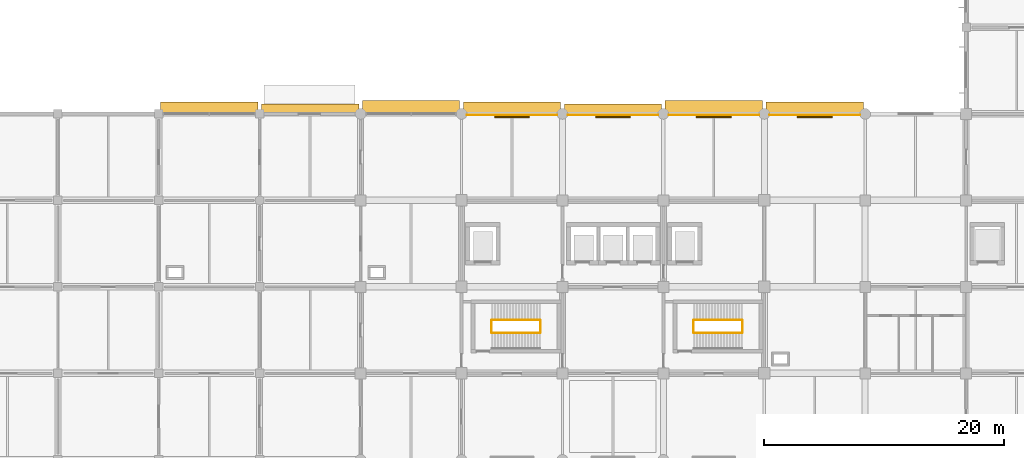
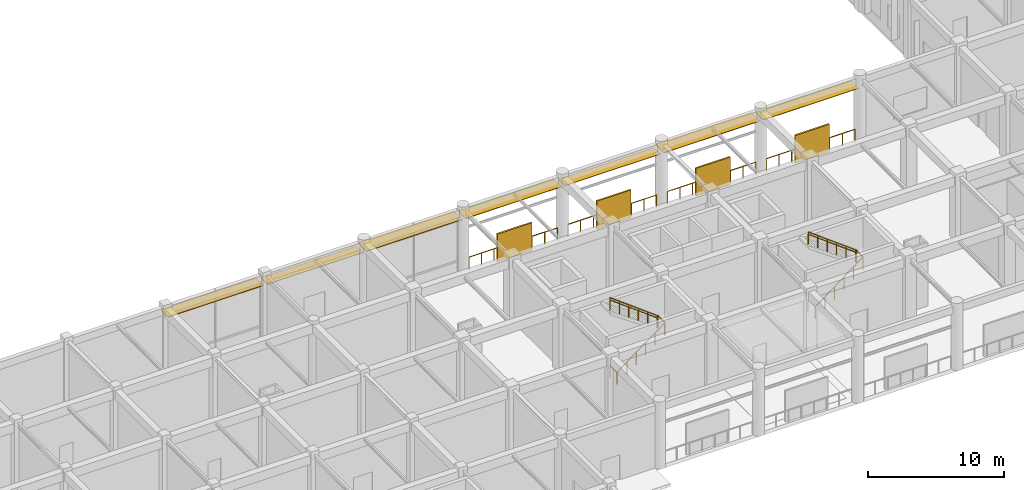
# One storey, part 35 of 39: 14 railings, 11 shading devices.
"""IFC4 building model written with IfcOpenShell, lengths in metres."""

from ifc_helpers import new_model, si_unit, derived_unit, direction, frame, origin, origin_2d, place, context, subcontext, project, spatial, rectangle, circle, extrude, material, layer, layer_set, type_object, element, save


model = new_model("IFC4")

# Units and contexts
model_context = context("Model", 3, precision=1e-05, world=origin(), true_north=direction((0.0, 1.0)))
body_context = subcontext(model_context, "Body", "Model", "MODEL_VIEW")
ifc_project = project(units=[si_unit("LENGTHUNIT", "METRE"), si_unit("AREAUNIT", "SQUARE_METRE"), si_unit("VOLUMEUNIT", "CUBIC_METRE"), si_unit("PLANEANGLEUNIT", "RADIAN"), si_unit("MASSUNIT", "GRAM", prefix="KILO"), derived_unit("THERMALTRANSMITTANCEUNIT", [(si_unit("MASSUNIT", "GRAM", prefix="KILO"), 1), (si_unit("TIMEUNIT", "SECOND"), -3), (si_unit("THERMODYNAMICTEMPERATUREUNIT", "KELVIN"), -1)])], contexts=[model_context])

# Site, building, storey
site_placement = place(None, origin())
site = spatial("IfcSite", under=ifc_project, at=site_placement, CompositionType="ELEMENT")
building_placement = place(site_placement, origin())
building = spatial("IfcBuilding", under=site, at=building_placement, Name="Veldstrom Oceanarium and Marine Research Institute", CompositionType="ELEMENT")
storey_placement = place(building_placement, origin())
storey = spatial("IfcBuildingStorey", under=building, at=storey_placement, Name="L00", CompositionType="ELEMENT", Elevation=0.0)

# Railings
ifc_material_1 = material(Name="Duplex Stainless Steel Balustrade", Category="steel")
ifc_layer_1 = layer(ifc_material_1, 0.06005859375)
ifc_layer_set_1 = layer_set([ifc_layer_1], Name="ARC-RLG-GR1")
railing_type_1 = type_object("IfcRailingType", Name="ARC-RLG-GR1", PredefinedType="GUARDRAIL", material=ifc_layer_set_1)
for number, where, name in (
    (1, (76.050048828125, 71.919921875, 0.0), "Pilotis Breezeway Edge Guardrail L00-N9"),
    (2, (84.449951171875, 71.919921875, 0.0), "Pilotis Breezeway Edge Guardrail L00-N10"),
    (3, (92.85009765625, 71.919921875, 0.0), "Pilotis Breezeway Edge Guardrail L00-N11"),
    (4, (101.25, 71.919921875, 0.0), "Pilotis Breezeway Edge Guardrail L00-N12"),
):
    element("IfcRailing", number, at=place(storey_placement, frame(where)), inside=storey, type_object=railing_type_1, Name=name, PredefinedType="GUARDRAIL", context=body_context, shape_type="SweptSolid", body=[
        extrude(circle(Radius=0.02392578125, at=origin_2d()), frame((0.0, 0.0, 1.09619140625), z_axis=(1.0, 0.0, 0.0), x_axis=(0.0, 1.0, 0.0)), (0.0, 0.0, 1.0), 7.5),
        extrude(circle(Radius=0.02099609375, at=origin_2d()), origin(), (0.0, 0.0, 1.0), 1.072021484375),
        extrude(circle(Radius=0.02099609375, at=origin_2d()), frame((1.071533203125, 0.0, 0.0)), (0.0, 0.0, 1.0), 1.072021484375),
        extrude(circle(Radius=0.02099609375, at=origin_2d()), frame((2.142822265625, 0.0, 0.0)), (0.0, 0.0, 1.0), 1.072021484375),
        extrude(circle(Radius=0.02099609375, at=origin_2d()), frame((3.21435546875, 0.0, 0.0)), (0.0, 0.0, 1.0), 1.072021484375),
        extrude(circle(Radius=0.02099609375, at=origin_2d()), frame((4.28564453125, 0.0, 0.0)), (0.0, 0.0, 1.0), 1.072021484375),
        extrude(circle(Radius=0.02099609375, at=origin_2d()), frame((5.357177734375, 0.0, 0.0)), (0.0, 0.0, 1.0), 1.072021484375),
        extrude(circle(Radius=0.02099609375, at=origin_2d()), frame((6.428466796875, 0.0, 0.0)), (0.0, 0.0, 1.0), 1.072021484375),
        extrude(circle(Radius=0.02099609375, at=origin_2d()), frame((7.5, 0.0, 0.0)), (0.0, 0.0, 1.0), 1.072021484375),
    ])
railing_1_placement = place(storey_placement, frame((78.10009765625, 53.800048828125, 0.0)))
element("IfcRailing", 5, at=railing_1_placement, inside=storey, type_object=railing_type_1, Name="Stair Well Landing Guard ST1 L00", PredefinedType="GUARDRAIL", context=body_context, shape_type="SweptSolid", body=[
    extrude(circle(Radius=0.02392578125, at=origin_2d()), frame((0.0, 0.0, 1.09619140625), z_axis=(0.0, 1.0, 0.0), x_axis=(-1.0, 0.0, 0.0)), (0.0, 0.0, 1.0), 1.0),
    extrude(circle(Radius=0.02099609375, at=origin_2d()), origin(), (0.0, 0.0, 1.0), 1.072021484375),
    extrude(circle(Radius=0.02099609375, at=origin_2d()), frame((0.0, 1.0, 0.0)), (0.0, 0.0, 1.0), 1.072021484375),
])
railing_2_placement = place(storey_placement, frame((78.139892578125, 53.760009765625, 0.0)))
element("IfcRailing", 6, at=railing_2_placement, inside=storey, type_object=railing_type_1, Name="Stair Flight Guardrail ST1-L00-1", PredefinedType="GUARDRAIL", context=body_context, shape_type="SweptSolid", body=[
    extrude(circle(Radius=0.02392578125, at=origin_2d()), frame((0.0, 0.0, 1.09619140625), z_axis=(0.8, 0.0, 0.6), x_axis=(0.0, 1.0, 0.0)), (0.0, 0.0, 1.0), 5.0),
    extrude(circle(Radius=0.02099609375, at=origin_2d()), origin(), (0.0, 0.0, 1.0), 1.072021484375),
    extrude(circle(Radius=0.02099609375, at=origin_2d()), frame((0.800048828125, 0.0, 0.60009765625)), (0.0, 0.0, 1.0), 1.072021484375),
    extrude(circle(Radius=0.02099609375, at=origin_2d()), frame((1.60009765625, 0.0, 1.199951171875)), (0.0, 0.0, 1.0), 1.072021484375),
    extrude(circle(Radius=0.02099609375, at=origin_2d()), frame((2.39990234375, 0.0, 1.800048828125)), (0.0, 0.0, 1.0), 1.072021484375),
    extrude(circle(Radius=0.02099609375, at=origin_2d()), frame((3.199951171875, 0.0, 2.39990234375)), (0.0, 0.0, 1.0), 1.072021484375),
    extrude(circle(Radius=0.02099609375, at=origin_2d()), frame((4.0, 0.0, 3.0)), (0.0, 0.0, 1.0), 1.072021484375),
])
railing_3_placement = place(storey_placement, frame((82.179931640625, 53.800048828125, 3.0)))
element("IfcRailing", 7, at=railing_3_placement, inside=storey, type_object=railing_type_1, Name="Stair Half-Landing Guardrail ST1-L00", PredefinedType="GUARDRAIL", context=body_context, shape_type="SweptSolid", body=[
    extrude(circle(Radius=0.02392578125, at=origin_2d()), frame((0.0, 0.0, 1.09619140625), z_axis=(0.0, 1.0, 0.0), x_axis=(-1.0, 0.0, 0.0)), (0.0, 0.0, 1.0), 1.0),
    extrude(circle(Radius=0.02099609375, at=origin_2d()), origin(), (0.0, 0.0, 1.0), 1.072021484375),
    extrude(circle(Radius=0.02099609375, at=origin_2d()), frame((0.0, 1.0, 0.0)), (0.0, 0.0, 1.0), 1.072021484375),
])
railing_4_placement = place(storey_placement, frame((82.139892578125, 54.840087890625, 3.0)))
element("IfcRailing", 8, at=railing_4_placement, inside=storey, type_object=railing_type_1, Name="Stair Flight Guardrail ST1-L00-2", PredefinedType="GUARDRAIL", context=body_context, shape_type="SweptSolid", body=[
    extrude(circle(Radius=0.02392578125, at=origin_2d()), frame((0.0, 0.0, 1.09619140625), z_axis=(-0.8, 0.0, 0.6), x_axis=(0.0, -1.0, 0.0)), (0.0, 0.0, 1.0), 5.0),
    extrude(circle(Radius=0.02099609375, at=origin_2d()), origin(), (0.0, 0.0, 1.0), 1.072021484375),
    extrude(circle(Radius=0.02099609375, at=origin_2d()), frame((-0.800048828125, 0.0, 0.60009765625)), (0.0, 0.0, 1.0), 1.072021484375),
    extrude(circle(Radius=0.02099609375, at=origin_2d()), frame((-1.60009765625, 0.0, 1.199951171875)), (0.0, 0.0, 1.0), 1.072021484375),
    extrude(circle(Radius=0.02099609375, at=origin_2d()), frame((-2.39990234375, 0.0, 1.800048828125)), (0.0, 0.0, 1.0), 1.072021484375),
    extrude(circle(Radius=0.02099609375, at=origin_2d()), frame((-3.199951171875, 0.0, 2.39990234375)), (0.0, 0.0, 1.0), 1.072021484375),
    extrude(circle(Radius=0.02099609375, at=origin_2d()), frame((-4.0, 0.0, 3.0)), (0.0, 0.0, 1.0), 1.072021484375),
])
railing_5_placement = place(storey_placement, frame((94.89990234375, 53.800048828125, 0.0)))
element("IfcRailing", 9, at=railing_5_placement, inside=storey, type_object=railing_type_1, Name="Stair Well Landing Guard ST2 L00", PredefinedType="GUARDRAIL", context=body_context, shape_type="SweptSolid", body=[
    extrude(circle(Radius=0.02392578125, at=origin_2d()), frame((0.0, 0.0, 1.09619140625), z_axis=(0.0, 1.0, 0.0), x_axis=(-1.0, 0.0, 0.0)), (0.0, 0.0, 1.0), 1.0),
    extrude(circle(Radius=0.02099609375, at=origin_2d()), origin(), (0.0, 0.0, 1.0), 1.072021484375),
    extrude(circle(Radius=0.02099609375, at=origin_2d()), frame((0.0, 1.0, 0.0)), (0.0, 0.0, 1.0), 1.072021484375),
])
railing_6_placement = place(storey_placement, frame((94.93994140625, 53.760009765625, 0.0)))
element("IfcRailing", 10, at=railing_6_placement, inside=storey, type_object=railing_type_1, Name="Stair Flight Guardrail ST2-L00-1", PredefinedType="GUARDRAIL", context=body_context, shape_type="SweptSolid", body=[
    extrude(circle(Radius=0.02392578125, at=origin_2d()), frame((0.0, 0.0, 1.09619140625), z_axis=(0.8, 0.0, 0.6), x_axis=(0.0, 1.0, 0.0)), (0.0, 0.0, 1.0), 5.0),
    extrude(circle(Radius=0.02099609375, at=origin_2d()), origin(), (0.0, 0.0, 1.0), 1.072021484375),
    extrude(circle(Radius=0.02099609375, at=origin_2d()), frame((0.800048828125, 0.0, 0.60009765625)), (0.0, 0.0, 1.0), 1.072021484375),
    extrude(circle(Radius=0.02099609375, at=origin_2d()), frame((1.60009765625, 0.0, 1.199951171875)), (0.0, 0.0, 1.0), 1.072021484375),
    extrude(circle(Radius=0.02099609375, at=origin_2d()), frame((2.39990234375, 0.0, 1.800048828125)), (0.0, 0.0, 1.0), 1.072021484375),
    extrude(circle(Radius=0.02099609375, at=origin_2d()), frame((3.199951171875, 0.0, 2.39990234375)), (0.0, 0.0, 1.0), 1.072021484375),
    extrude(circle(Radius=0.02099609375, at=origin_2d()), frame((4.0, 0.0, 3.0)), (0.0, 0.0, 1.0), 1.072021484375),
])
railing_7_placement = place(storey_placement, frame((98.97998046875, 53.800048828125, 3.0)))
element("IfcRailing", 11, at=railing_7_placement, inside=storey, type_object=railing_type_1, Name="Stair Half-Landing Guardrail ST2-L00", PredefinedType="GUARDRAIL", context=body_context, shape_type="SweptSolid", body=[
    extrude(circle(Radius=0.02392578125, at=origin_2d()), frame((0.0, 0.0, 1.09619140625), z_axis=(0.0, 1.0, 0.0), x_axis=(-1.0, 0.0, 0.0)), (0.0, 0.0, 1.0), 1.0),
    extrude(circle(Radius=0.02099609375, at=origin_2d()), origin(), (0.0, 0.0, 1.0), 1.072021484375),
    extrude(circle(Radius=0.02099609375, at=origin_2d()), frame((0.0, 1.0, 0.0)), (0.0, 0.0, 1.0), 1.072021484375),
])
railing_8_placement = place(storey_placement, frame((98.93994140625, 54.840087890625, 3.0)))
element("IfcRailing", 12, at=railing_8_placement, inside=storey, type_object=railing_type_1, Name="Stair Flight Guardrail ST2-L00-2", PredefinedType="GUARDRAIL", context=body_context, shape_type="SweptSolid", body=[
    extrude(circle(Radius=0.02392578125, at=origin_2d()), frame((0.0, 0.0, 1.09619140625), z_axis=(-0.8, 0.0, 0.6), x_axis=(0.0, -1.0, 0.0)), (0.0, 0.0, 1.0), 5.0),
    extrude(circle(Radius=0.02099609375, at=origin_2d()), origin(), (0.0, 0.0, 1.0), 1.072021484375),
    extrude(circle(Radius=0.02099609375, at=origin_2d()), frame((-0.800048828125, 0.0, 0.60009765625)), (0.0, 0.0, 1.0), 1.072021484375),
    extrude(circle(Radius=0.02099609375, at=origin_2d()), frame((-1.60009765625, 0.0, 1.199951171875)), (0.0, 0.0, 1.0), 1.072021484375),
    extrude(circle(Radius=0.02099609375, at=origin_2d()), frame((-2.39990234375, 0.0, 1.800048828125)), (0.0, 0.0, 1.0), 1.072021484375),
    extrude(circle(Radius=0.02099609375, at=origin_2d()), frame((-3.199951171875, 0.0, 2.39990234375)), (0.0, 0.0, 1.0), 1.072021484375),
    extrude(circle(Radius=0.02099609375, at=origin_2d()), frame((-4.0, 0.0, 3.0)), (0.0, 0.0, 1.0), 1.072021484375),
])
ifc_material_2 = material(Name="Brushed Stainless Steel Handrail", Category="steel")
ifc_layer_2 = layer(ifc_material_2, 0.050048828125)
ifc_layer_set_2 = layer_set([ifc_layer_2], Name="ARC-RLG-HR1")
railing_type_2 = type_object("IfcRailingType", Name="ARC-RLG-HR1", PredefinedType="HANDRAIL", material=ifc_layer_set_2)
for number, where, name in (
    (13, (82.139892578125, 54.860107421875, 3.0), "Stair Wall Handrail ST1-L00-2"),
    (14, (98.93994140625, 54.860107421875, 3.0), "Stair Wall Handrail ST2-L00-2"),
):
    element("IfcRailing", number, at=place(storey_placement, frame(where)), inside=storey, type_object=railing_type_2, Name=name, PredefinedType="HANDRAIL", context=body_context, shape_type="SweptSolid", body=[
        extrude(circle(Radius=0.02392578125, at=origin_2d()), frame((0.0, 0.0, 0.8759765625), z_axis=(-0.8, 0.0, 0.6), x_axis=(0.0, -1.0, 0.0)), (0.0, 0.0, 1.0), 5.0),
        extrude(circle(Radius=0.02099609375, at=origin_2d()), origin(), (0.0, 0.0, 1.0), 0.851806640625),
        extrude(circle(Radius=0.02099609375, at=origin_2d()), frame((-0.800048828125, 0.0, 0.60009765625)), (0.0, 0.0, 1.0), 0.851806640625),
        extrude(circle(Radius=0.02099609375, at=origin_2d()), frame((-1.60009765625, 0.0, 1.199951171875)), (0.0, 0.0, 1.0), 0.851806640625),
        extrude(circle(Radius=0.02099609375, at=origin_2d()), frame((-2.39990234375, 0.0, 1.800048828125)), (0.0, 0.0, 1.0), 0.851806640625),
        extrude(circle(Radius=0.02099609375, at=origin_2d()), frame((-3.199951171875, 0.0, 2.39990234375)), (0.0, 0.0, 1.0), 0.851806640625),
        extrude(circle(Radius=0.02099609375, at=origin_2d()), frame((-4.0, 0.0, 3.0)), (0.0, 0.0, 1.0), 0.851806640625),
    ])

# Shading devices
ifc_material_3 = material(Name="Precast GRC Claustra Sun-Screen", Category="concrete")
ifc_layer_3 = layer(ifc_material_3, 2.5)
ifc_layer_set_3 = layer_set([ifc_layer_3], Name="ARC-SHD-CL02")
shading_device_type_1 = type_object("IfcShadingDeviceType", Name="ARC-SHD-CL02", PredefinedType="SHUTTER", material=ifc_layer_set_3)
for number, where, z_axis, x_axis, name in (
    (15, (79.800048828125, 71.75, 0.0), (0.0, 0.0, 1.0), (1.0, 0.0, 0.0), "Precast GRC Claustra Sun-Screen L00-N1"),
    (16, (88.199951171875, 71.75, 0.0), (0.0, 0.0, 1.0), (1.0, 0.0, 0.0), "Precast GRC Claustra Sun-Screen L00-N2"),
    (17, (96.60009765625, 71.75, 0.0), (0.0, 0.0, 1.0), (1.0, 0.0, 0.0), "Precast GRC Claustra Sun-Screen L00-N3"),
    (18, (105.0, 71.75, 0.0), (0.0, 0.0, 1.0), (1.0, 0.0, 0.0), "Precast GRC Claustra Sun-Screen L00-N4"),
):
    element("IfcShadingDevice", number, at=place(storey_placement, frame(where, z_axis=z_axis, x_axis=x_axis)), inside=storey, type_object=shading_device_type_1, Name=name, PredefinedType="SHUTTER", context=body_context, shape_type="SweptSolid", body=[
        extrude(rectangle(XDim=2.89990234375, YDim=0.139892578125, at=origin_2d()), origin(), (0.0, 0.0, 1.0), 2.5),
    ])
ifc_material_4 = material(Name="Perforated Anodised Aluminium Louvre", Category="aluminium")
ifc_layer_4 = layer(ifc_material_4, 0.054931640625)
ifc_layer_set_4 = layer_set([ifc_layer_4], Name="ARC-SHD-SH01")
shading_device_type_2 = type_object("IfcShadingDeviceType", Name="ARC-SHD-SH01", PredefinedType="AWNING", material=ifc_layer_set_4)
for number, where, z_axis, x_axis, name in (
    (19, (71.39990234375, 72.5048828125, 4.64990234375), (0.0, 0.0, 1.0), (1.0, 0.0, 0.0), "North Solar Canopy Louvre L00-9"),
    (20, (96.60009765625, 72.5048828125, 4.64990234375), (0.0, 0.0, 1.0), (1.0, 0.0, 0.0), "North Solar Canopy Louvre L00-12"),
):
    element("IfcShadingDevice", number, at=place(storey_placement, frame(where, z_axis=z_axis, x_axis=x_axis)), inside=storey, type_object=shading_device_type_2, Name=name, PredefinedType="AWNING", context=body_context, shape_type="SweptSolid", body=[
        extrude(rectangle(XDim=8.10009765625, YDim=1.25, at=origin_2d()), origin(), (0.0, 0.0, 1.0), 0.054931640625),
    ])
ifc_material_5 = material(Name="Perforated Anodised Aluminium Louvre", Category="aluminium")
ifc_layer_5 = layer(ifc_material_5, 0.050048828125)
ifc_layer_set_5 = layer_set([ifc_layer_5], Name="ARC-SHD-SH02")
shading_device_type_3 = type_object("IfcShadingDeviceType", Name="ARC-SHD-SH02", PredefinedType="AWNING", material=ifc_layer_set_5)
for number, where, z_axis, x_axis, name in (
    (21, (54.60009765625, 72.429931640625, 4.64990234375), (0.0, 0.0, 1.0), (1.0, 0.0, 0.0), "North Solar Canopy Louvre L00-7"),
    (22, (79.800048828125, 72.429931640625, 4.64990234375), (0.0, 0.0, 1.0), (1.0, 0.0, 0.0), "North Solar Canopy Louvre L00-10"),
    (23, (105.0, 72.429931640625, 4.64990234375), (0.0, 0.0, 1.0), (1.0, 0.0, 0.0), "North Solar Canopy Louvre L00-13"),
):
    element("IfcShadingDevice", number, at=place(storey_placement, frame(where, z_axis=z_axis, x_axis=x_axis)), inside=storey, type_object=shading_device_type_3, Name=name, PredefinedType="AWNING", context=body_context, shape_type="SweptSolid", body=[
        extrude(rectangle(XDim=8.10009765625, YDim=1.10009765625, at=origin_2d()), origin(), (0.0, 0.0, 1.0), 0.050048828125),
    ])
ifc_material_6 = material(Name="Perforated Anodised Aluminium Louvre", Category="aluminium")
ifc_layer_6 = layer(ifc_material_6, 0.044921875)
ifc_layer_set_6 = layer_set([ifc_layer_6], Name="ARC-SHD-SH03")
shading_device_type_4 = type_object("IfcShadingDeviceType", Name="ARC-SHD-SH03", PredefinedType="AWNING", material=ifc_layer_set_6)
for number, where, z_axis, x_axis, name in (
    (24, (63.0, 72.35498046875, 4.650146484375), (0.0, 0.0, 1.0), (1.0, 0.0, 0.0), "North Solar Canopy Louvre L00-8"),
    (25, (88.199951171875, 72.35498046875, 4.650146484375), (0.0, 0.0, 1.0), (1.0, 0.0, 0.0), "North Solar Canopy Louvre L00-11"),
):
    element("IfcShadingDevice", number, at=place(storey_placement, frame(where, z_axis=z_axis, x_axis=x_axis)), inside=storey, type_object=shading_device_type_4, Name=name, PredefinedType="AWNING", context=body_context, shape_type="SweptSolid", body=[
        extrude(rectangle(XDim=8.10009765625, YDim=0.949951171875, at=origin_2d()), origin(), (0.0, 0.0, 1.0), 0.044921875),
    ])

save(model, "model.ifc")
